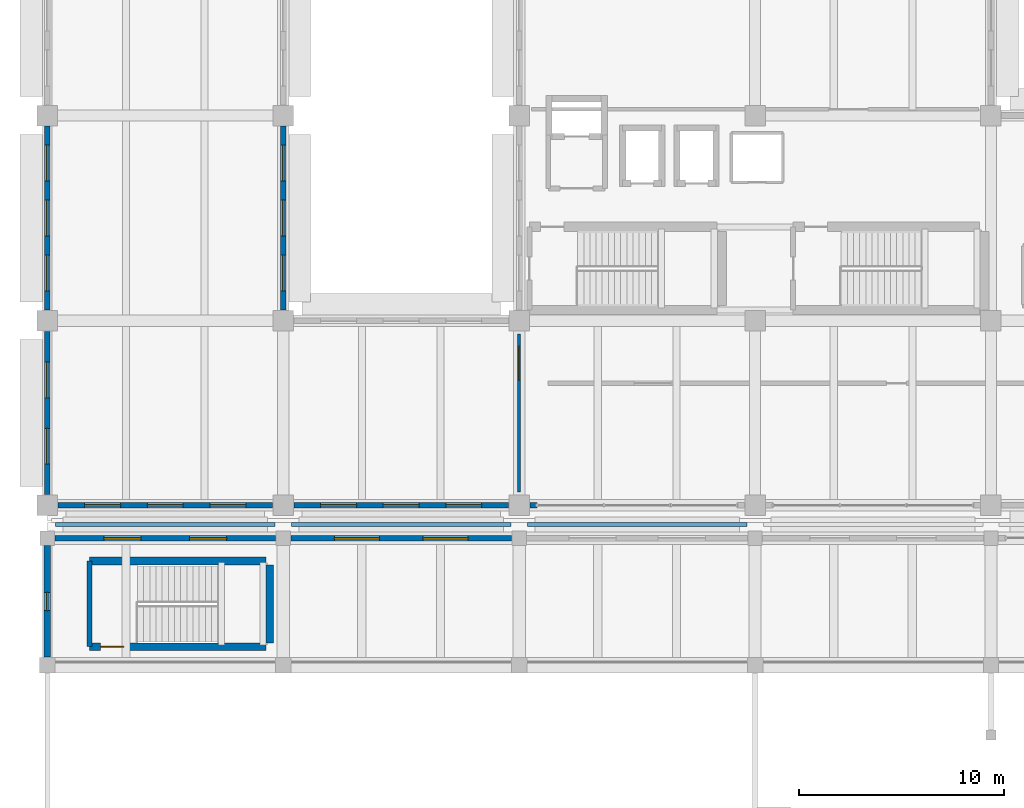
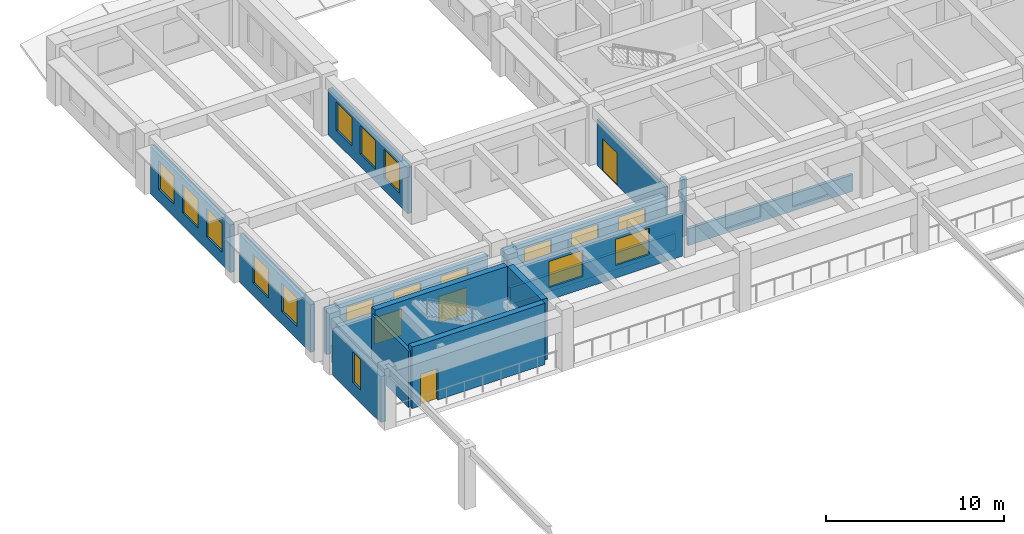
# One storey, part 72 of 98: 19 windows, 17 walls, 2 doors, 21 openings.
"""IFC4 building model written with IfcOpenShell, lengths in metres."""

from ifc_helpers import new_model, si_unit, direction, frame, frame_2d, origin, place, context, subcontext, project, spatial, rectangle, extrude, material, layer, layer_set, type_object, element, fill, save


model = new_model("IFC4")

# Units and contexts
model_context = context("Model", 3, precision=1e-05, world=origin(), true_north=direction((0.0, 1.0)))
body_context = subcontext(model_context, "Body", "Model", "MODEL_VIEW")
ifc_project = project(units=[si_unit("LENGTHUNIT", "METRE"), si_unit("AREAUNIT", "SQUARE_METRE"), si_unit("VOLUMEUNIT", "CUBIC_METRE"), si_unit("PLANEANGLEUNIT", "RADIAN"), si_unit("MASSUNIT", "GRAM", prefix="KILO")], contexts=[model_context])

# Site, building, storey
site_placement = place(None, origin())
site = spatial("IfcSite", under=ifc_project, at=site_placement, CompositionType="ELEMENT")
building_placement = place(site_placement, origin())
building = spatial("IfcBuilding", under=site, at=building_placement, Name="Ologun Quay Terminus", CompositionType="ELEMENT")
storey_placement = place(building_placement, frame((0.0, 0.0, 4.199951171875)))
storey = spatial("IfcBuildingStorey", under=building, at=storey_placement, Name="L01", CompositionType="ELEMENT", Elevation=4.199951171875)

# Wall, opening, door
ifc_material_1 = material(Name="Gypsum Acoustic Stud")
ifc_layer_1 = layer(ifc_material_1, 0.14990234375)
ifc_layer_set_1 = layer_set([ifc_layer_1], Name="Gypsum Acoustic Stud")
wall_type_1 = type_object("IfcWallType", Name="Community & Reading Room Partition 150", PredefinedType="PARTITIONING", material=ifc_layer_set_1)
wall_1_placement = place(storey_placement, frame((23.0, 86.449951171875, 0.0), z_axis=(0.0, 0.0, 1.0), x_axis=(0.0, 1.0, 0.0)))
wall_1 = element("IfcWall", 1, at=wall_1_placement, inside=storey, type_object=wall_type_1, Name="PW-05 Partition L01-VerandaSalon-E", PredefinedType="PARTITIONING", context=body_context, shape_type="SweptSolid", body=[
    extrude(rectangle(XDim=7.699951171875, YDim=0.14990234375, at=frame_2d((3.85009765625, 0.0))), origin(), (0.0, 0.0, 1.0), 3.150146484375),
])
opening_1_placement = place(wall_1_placement, frame((5.449951171875, 0.0, 0.0)))
opening_1 = element("IfcOpeningElement", 2, at=opening_1_placement, cuts=wall_1, Name="Opening ID-307", PredefinedType="OPENING", context=body_context, shape_type="SweptSolid", body=[
    extrude(rectangle(XDim=1.64990234375, YDim=2.199951171875, at=frame_2d((0.824951171875, 1.10009765625))), frame((0.0, 0.0849609375, 0.0), z_axis=(0.0, -1.0, 0.0), x_axis=(1.0, 0.0, 0.0)), (0.0, 0.0, 1.0), 0.169921875),
])
ifc_material_2 = material(Name="Timber Hardwood", Category="wood")
door_type_1 = type_object("IfcDoorType", Name="Community Meeting Double Door 1650x2200", OperationType="DOUBLE_DOOR_SINGLE_SWING", PredefinedType="DOOR", material=ifc_material_2)
door_1_placement = place(opening_1_placement, origin())
door_1 = element("IfcDoor", 3, at=door_1_placement, inside=storey, type_object=door_type_1, Name="ID-03 Door ID-307", OperationType="DOUBLE_DOOR_SINGLE_SWING", OverallHeight=2.199951171875, OverallWidth=1.64990234375, PredefinedType="DOOR", context=body_context, shape_type="SweptSolid", body=[
    extrude(rectangle(XDim=1.64990234375, YDim=2.199951171875, at=frame_2d((0.824951171875, 1.10009765625))), frame((0.0, 0.02490234375, 0.0), z_axis=(0.0, -1.0, 0.0), x_axis=(1.0, 0.0, 0.0)), (0.0, 0.0, 1.0), 0.050048828125),
])
fill(opening_1, door_1)

# Wall, openings, windows
ifc_material_3 = material(Name="Concrete C40/50", Category="concrete")
ifc_layer_2 = layer(ifc_material_3, 0.280029296875)
ifc_layer_set_2 = layer_set([ifc_layer_2], Name="Concrete C40/50")
wall_type_2 = type_object("IfcWallType", Name="Courtyard Wing Spandrel Concrete Wall 280", PredefinedType="SOLIDWALL", material=ifc_layer_set_2)
wall_2_placement = place(storey_placement, frame((0.3701171875, 84.199951171875, 0.0), z_axis=(0.0, 0.0, 1.0), x_axis=(1.0, 0.0, 0.0)))
wall_2 = element("IfcWall", 4, at=wall_2_placement, inside=storey, type_object=wall_type_2, Name="EW-02 Facade Wall WEW-NGW-L01-01", PredefinedType="SOLIDWALL", context=body_context, shape_type="SweptSolid", body=[
    extrude(rectangle(XDim=10.759765625, YDim=0.280029296875, at=frame_2d((5.3798828125, 0.0))), origin(), (0.0, 0.0, 1.0), 2.949951171875),
])
opening_2_placement = place(wall_2_placement, frame((2.38671875, 0.0, 0.85009765625)))
opening_2 = element("IfcOpeningElement", 5, at=opening_2_placement, cuts=wall_2, Name="Opening WN-134", PredefinedType="OPENING", context=body_context, shape_type="SweptSolid", body=[
    extrude(rectangle(XDim=1.800048828125, YDim=1.800048828125, at=frame_2d((0.89990234375, 0.89990234375))), frame((0.0, 0.14990234375, 0.0), z_axis=(0.0, -1.0, 0.0), x_axis=(1.0, 0.0, 0.0)), (0.0, 0.0, 1.0), 0.300048828125),
])
opening_3_placement = place(wall_2_placement, frame((6.5732421875, 0.0, 0.85009765625)))
opening_3 = element("IfcOpeningElement", 6, at=opening_3_placement, cuts=wall_2, Name="Opening WN-135", PredefinedType="OPENING", context=body_context, shape_type="SweptSolid", body=[
    extrude(rectangle(XDim=1.800048828125, YDim=1.800048828125, at=frame_2d((0.89990234375, 0.89990234375))), frame((0.0, 0.14990234375, 0.0), z_axis=(0.0, -1.0, 0.0), x_axis=(1.0, 0.0, 0.0)), (0.0, 0.0, 1.0), 0.300048828125),
])
ifc_material_4 = material(Name="Glass", Category="glass")
window_type_1 = type_object("IfcWindowType", Name="Mezzanine Gallery Window 1800x1800", PartitioningType="SINGLE_PANEL", PredefinedType="WINDOW", material=ifc_material_4)
window_1_placement = place(opening_2_placement, origin())
window_1 = element("IfcWindow", 7, at=window_1_placement, inside=storey, type_object=window_type_1, Name="W-05 Window WN-134", OverallHeight=1.800048828125, OverallWidth=1.800048828125, PartitioningType="SINGLE_PANEL", PredefinedType="WINDOW", context=body_context, shape_type="SweptSolid", body=[
    extrude(rectangle(XDim=1.800048828125, YDim=1.800048828125, at=frame_2d((0.89990234375, 0.89990234375))), frame((0.0, 0.030029296875, 0.0), z_axis=(0.0, -1.0, 0.0), x_axis=(1.0, 0.0, 0.0)), (0.0, 0.0, 1.0), 0.06005859375),
])
fill(opening_2, window_1)
window_2_placement = place(opening_3_placement, origin())
window_2 = element("IfcWindow", 8, at=window_2_placement, inside=storey, type_object=window_type_1, Name="W-05 Window WN-135", OverallHeight=1.800048828125, OverallWidth=1.800048828125, PartitioningType="SINGLE_PANEL", PredefinedType="WINDOW", context=body_context, shape_type="SweptSolid", body=[
    extrude(rectangle(XDim=1.800048828125, YDim=1.800048828125, at=frame_2d((0.89990234375, 0.89990234375))), frame((0.0, 0.030029296875, 0.0), z_axis=(0.0, -1.0, 0.0), x_axis=(1.0, 0.0, 0.0)), (0.0, 0.0, 1.0), 0.06005859375),
])
fill(opening_3, window_2)

wall_3_placement = place(storey_placement, frame((11.8701171875, 84.199951171875, 0.0), z_axis=(0.0, 0.0, 1.0), x_axis=(1.0, 0.0, 0.0)))
wall_3 = element("IfcWall", 9, at=wall_3_placement, inside=storey, type_object=wall_type_2, Name="EW-02 Facade Wall WEW-NGW-L01-02", PredefinedType="SOLIDWALL", context=body_context, shape_type="SweptSolid", body=[
    extrude(rectangle(XDim=10.759765625, YDim=0.280029296875, at=frame_2d((5.3798828125, 0.0))), origin(), (0.0, 0.0, 1.0), 2.949951171875),
])
opening_4_placement = place(wall_3_placement, frame((2.1201171875, 0.0, 0.85009765625)))
opening_4 = element("IfcOpeningElement", 10, at=opening_4_placement, cuts=wall_3, Name="Opening WN-136", PredefinedType="OPENING", context=body_context, shape_type="SweptSolid", body=[
    extrude(rectangle(XDim=2.199951171875, YDim=1.800048828125, at=frame_2d((1.10009765625, 0.89990234375))), frame((0.0, 0.14990234375, 0.0), z_axis=(0.0, -1.0, 0.0), x_axis=(1.0, 0.0, 0.0)), (0.0, 0.0, 1.0), 0.300048828125),
])
opening_5_placement = place(wall_3_placement, frame((6.43994140625, 0.0, 0.85009765625)))
opening_5 = element("IfcOpeningElement", 11, at=opening_5_placement, cuts=wall_3, Name="Opening WN-137", PredefinedType="OPENING", context=body_context, shape_type="SweptSolid", body=[
    extrude(rectangle(XDim=2.199951171875, YDim=1.800048828125, at=frame_2d((1.10009765625, 0.89990234375))), frame((0.0, 0.14990234375, 0.0), z_axis=(0.0, -1.0, 0.0), x_axis=(1.0, 0.0, 0.0)), (0.0, 0.0, 1.0), 0.300048828125),
])
ifc_material_5 = material(Name="Glass", Category="glass")
window_type_2 = type_object("IfcWindowType", Name="Heritage Gallery Window 2200x1800", PartitioningType="SINGLE_PANEL", PredefinedType="WINDOW", material=ifc_material_5)
window_3_placement = place(opening_4_placement, origin())
window_3 = element("IfcWindow", 12, at=window_3_placement, inside=storey, type_object=window_type_2, Name="W-06 Window WN-136", OverallHeight=1.800048828125, OverallWidth=2.199951171875, PartitioningType="SINGLE_PANEL", PredefinedType="WINDOW", context=body_context, shape_type="SweptSolid", body=[
    extrude(rectangle(XDim=2.199951171875, YDim=1.800048828125, at=frame_2d((1.10009765625, 0.89990234375))), frame((0.0, 0.030029296875, 0.0), z_axis=(0.0, -1.0, 0.0), x_axis=(1.0, 0.0, 0.0)), (0.0, 0.0, 1.0), 0.06005859375),
])
fill(opening_4, window_3)
window_4_placement = place(opening_5_placement, origin())
window_4 = element("IfcWindow", 13, at=window_4_placement, inside=storey, type_object=window_type_2, Name="W-06 Window WN-137", OverallHeight=1.800048828125, OverallWidth=2.199951171875, PartitioningType="SINGLE_PANEL", PredefinedType="WINDOW", context=body_context, shape_type="SweptSolid", body=[
    extrude(rectangle(XDim=2.199951171875, YDim=1.800048828125, at=frame_2d((1.10009765625, 0.89990234375))), frame((0.0, 0.030029296875, 0.0), z_axis=(0.0, -1.0, 0.0), x_axis=(1.0, 0.0, 0.0)), (0.0, 0.0, 1.0), 0.06005859375),
])
fill(opening_5, window_4)

wall_4_placement = place(storey_placement, frame((0.52001953125, 85.800048828125, 0.0), z_axis=(0.0, 0.0, 1.0), x_axis=(1.0, 0.0, 0.0)))
wall_4 = element("IfcWall", 14, at=wall_4_placement, inside=storey, type_object=wall_type_2, Name="EW-02 Facade Wall WEW-WW-O-L01-1", PredefinedType="SOLIDWALL", context=body_context, shape_type="SweptSolid", body=[
    extrude(rectangle(XDim=10.4599609375, YDim=0.280029296875, at=frame_2d((5.22998046875, 0.0))), origin(), (0.0, 0.0, 1.0), 3.150146484375),
])
opening_6_placement = place(wall_4_placement, frame((1.302490234375, 0.0, 0.85009765625)))
opening_6 = element("IfcOpeningElement", 15, at=opening_6_placement, cuts=wall_4, Name="Opening WN-191", PredefinedType="OPENING", context=body_context, shape_type="SweptSolid", body=[
    extrude(rectangle(XDim=1.75, YDim=1.949951171875, at=frame_2d((0.875, 0.97509765625))), frame((0.0, 0.14990234375, 0.0), z_axis=(0.0, -1.0, 0.0), x_axis=(1.0, 0.0, 0.0)), (0.0, 0.0, 1.0), 0.300048828125),
])
opening_7_placement = place(wall_4_placement, frame((4.35498046875, 0.0, 0.85009765625)))
opening_7 = element("IfcOpeningElement", 16, at=opening_7_placement, cuts=wall_4, Name="Opening WN-192", PredefinedType="OPENING", context=body_context, shape_type="SweptSolid", body=[
    extrude(rectangle(XDim=1.75, YDim=1.949951171875, at=frame_2d((0.875, 0.97509765625))), frame((0.0, 0.14990234375, 0.0), z_axis=(0.0, -1.0, 0.0), x_axis=(1.0, 0.0, 0.0)), (0.0, 0.0, 1.0), 0.300048828125),
])
opening_8_placement = place(wall_4_placement, frame((7.407470703125, 0.0, 0.85009765625)))
opening_8 = element("IfcOpeningElement", 17, at=opening_8_placement, cuts=wall_4, Name="Opening WN-193", PredefinedType="OPENING", context=body_context, shape_type="SweptSolid", body=[
    extrude(rectangle(XDim=1.75, YDim=1.949951171875, at=frame_2d((0.875, 0.97509765625))), frame((0.0, 0.14990234375, 0.0), z_axis=(0.0, -1.0, 0.0), x_axis=(1.0, 0.0, 0.0)), (0.0, 0.0, 1.0), 0.300048828125),
])
ifc_material_6 = material(Name="Glass", Category="glass")
window_type_3 = type_object("IfcWindowType", Name="Waterfront Pavilion Paired Window 1750x1950", PartitioningType="SINGLE_PANEL", PredefinedType="WINDOW", material=ifc_material_6)
window_5_placement = place(opening_6_placement, origin())
window_5 = element("IfcWindow", 18, at=window_5_placement, inside=storey, type_object=window_type_3, Name="W-12 Window WN-191", OverallHeight=1.949951171875, OverallWidth=1.75, PartitioningType="SINGLE_PANEL", PredefinedType="WINDOW", context=body_context, shape_type="SweptSolid", body=[
    extrude(rectangle(XDim=1.75, YDim=1.949951171875, at=frame_2d((0.875, 0.97509765625))), frame((0.0, 0.030029296875, 0.0), z_axis=(0.0, -1.0, 0.0), x_axis=(1.0, 0.0, 0.0)), (0.0, 0.0, 1.0), 0.06005859375),
])
fill(opening_6, window_5)
window_6_placement = place(opening_7_placement, origin())
window_6 = element("IfcWindow", 19, at=window_6_placement, inside=storey, type_object=window_type_3, Name="W-12 Window WN-192", OverallHeight=1.949951171875, OverallWidth=1.75, PartitioningType="SINGLE_PANEL", PredefinedType="WINDOW", context=body_context, shape_type="SweptSolid", body=[
    extrude(rectangle(XDim=1.75, YDim=1.949951171875, at=frame_2d((0.875, 0.97509765625))), frame((0.0, 0.030029296875, 0.0), z_axis=(0.0, -1.0, 0.0), x_axis=(1.0, 0.0, 0.0)), (0.0, 0.0, 1.0), 0.06005859375),
])
fill(opening_7, window_6)
window_7_placement = place(opening_8_placement, origin())
window_7 = element("IfcWindow", 20, at=window_7_placement, inside=storey, type_object=window_type_3, Name="W-12 Window WN-193", OverallHeight=1.949951171875, OverallWidth=1.75, PartitioningType="SINGLE_PANEL", PredefinedType="WINDOW", context=body_context, shape_type="SweptSolid", body=[
    extrude(rectangle(XDim=1.75, YDim=1.949951171875, at=frame_2d((0.875, 0.97509765625))), frame((0.0, 0.030029296875, 0.0), z_axis=(0.0, -1.0, 0.0), x_axis=(1.0, 0.0, 0.0)), (0.0, 0.0, 1.0), 0.06005859375),
])
fill(opening_8, window_7)

wall_5_placement = place(storey_placement, frame((12.02001953125, 85.800048828125, 0.0), z_axis=(0.0, 0.0, 1.0), x_axis=(1.0, 0.0, 0.0)))
wall_5 = element("IfcWall", 21, at=wall_5_placement, inside=storey, type_object=wall_type_2, Name="EW-02 Facade Wall WEW-WW-O-L01-2", PredefinedType="SOLIDWALL", context=body_context, shape_type="SweptSolid", body=[
    extrude(rectangle(XDim=10.4599609375, YDim=0.280029296875, at=frame_2d((5.22998046875, 0.0))), origin(), (0.0, 0.0, 1.0), 3.150146484375),
])
opening_9_placement = place(wall_5_placement, frame((1.302490234375, 0.0, 0.85009765625)))
opening_9 = element("IfcOpeningElement", 22, at=opening_9_placement, cuts=wall_5, Name="Opening WN-194", PredefinedType="OPENING", context=body_context, shape_type="SweptSolid", body=[
    extrude(rectangle(XDim=1.75, YDim=1.949951171875, at=frame_2d((0.875, 0.97509765625))), frame((0.0, 0.14990234375, 0.0), z_axis=(0.0, -1.0, 0.0), x_axis=(1.0, 0.0, 0.0)), (0.0, 0.0, 1.0), 0.300048828125),
])
opening_10_placement = place(wall_5_placement, frame((4.35498046875, 0.0, 0.85009765625)))
opening_10 = element("IfcOpeningElement", 23, at=opening_10_placement, cuts=wall_5, Name="Opening WN-195", PredefinedType="OPENING", context=body_context, shape_type="SweptSolid", body=[
    extrude(rectangle(XDim=1.75, YDim=1.949951171875, at=frame_2d((0.875, 0.97509765625))), frame((0.0, 0.14990234375, 0.0), z_axis=(0.0, -1.0, 0.0), x_axis=(1.0, 0.0, 0.0)), (0.0, 0.0, 1.0), 0.300048828125),
])
opening_11_placement = place(wall_5_placement, frame((7.407470703125, 0.0, 0.85009765625)))
opening_11 = element("IfcOpeningElement", 24, at=opening_11_placement, cuts=wall_5, Name="Opening WN-196", PredefinedType="OPENING", context=body_context, shape_type="SweptSolid", body=[
    extrude(rectangle(XDim=1.75, YDim=1.949951171875, at=frame_2d((0.875, 0.97509765625))), frame((0.0, 0.14990234375, 0.0), z_axis=(0.0, -1.0, 0.0), x_axis=(1.0, 0.0, 0.0)), (0.0, 0.0, 1.0), 0.300048828125),
])
window_8_placement = place(opening_9_placement, origin())
window_8 = element("IfcWindow", 25, at=window_8_placement, inside=storey, type_object=window_type_3, Name="W-12 Window WN-194", OverallHeight=1.949951171875, OverallWidth=1.75, PartitioningType="SINGLE_PANEL", PredefinedType="WINDOW", context=body_context, shape_type="SweptSolid", body=[
    extrude(rectangle(XDim=1.75, YDim=1.949951171875, at=frame_2d((0.875, 0.97509765625))), frame((0.0, 0.030029296875, 0.0), z_axis=(0.0, -1.0, 0.0), x_axis=(1.0, 0.0, 0.0)), (0.0, 0.0, 1.0), 0.06005859375),
])
fill(opening_9, window_8)
window_9_placement = place(opening_10_placement, origin())
window_9 = element("IfcWindow", 26, at=window_9_placement, inside=storey, type_object=window_type_3, Name="W-12 Window WN-195", OverallHeight=1.949951171875, OverallWidth=1.75, PartitioningType="SINGLE_PANEL", PredefinedType="WINDOW", context=body_context, shape_type="SweptSolid", body=[
    extrude(rectangle(XDim=1.75, YDim=1.949951171875, at=frame_2d((0.875, 0.97509765625))), frame((0.0, 0.030029296875, 0.0), z_axis=(0.0, -1.0, 0.0), x_axis=(1.0, 0.0, 0.0)), (0.0, 0.0, 1.0), 0.06005859375),
])
fill(opening_10, window_9)
window_10_placement = place(opening_11_placement, origin())
window_10 = element("IfcWindow", 27, at=window_10_placement, inside=storey, type_object=window_type_3, Name="W-12 Window WN-196", OverallHeight=1.949951171875, OverallWidth=1.75, PartitioningType="SINGLE_PANEL", PredefinedType="WINDOW", context=body_context, shape_type="SweptSolid", body=[
    extrude(rectangle(XDim=1.75, YDim=1.949951171875, at=frame_2d((0.875, 0.97509765625))), frame((0.0, 0.030029296875, 0.0), z_axis=(0.0, -1.0, 0.0), x_axis=(1.0, 0.0, 0.0)), (0.0, 0.0, 1.0), 0.06005859375),
])
fill(opening_11, window_10)

# Wall
wall_6_placement = place(storey_placement, frame((23.52001953125, 85.800048828125, 0.0), z_axis=(0.0, 0.0, 1.0), x_axis=(1.0, 0.0, 0.0)))
element("IfcWall", 28, at=wall_6_placement, inside=storey, type_object=wall_type_2, Name="Curtain Wall Jamb Pier CW-L01-097-J1", PredefinedType="SOLIDWALL", context=body_context, shape_type="SweptSolid", body=[
    extrude(rectangle(XDim=0.35009765625, YDim=0.280029296875, at=frame_2d((0.175048828125, 0.0))), origin(), (0.0, 0.0, 1.0), 3.929931640625),
])

# Wall, openings, windows
wall_7_placement = place(storey_placement, frame((11.5, 95.320068359375, 0.0), z_axis=(0.0, 0.0, 1.0), x_axis=(0.0, 1.0, 0.0)))
wall_7 = element("IfcWall", 29, at=wall_7_placement, inside=storey, type_object=wall_type_2, Name="EW-02 Facade Wall WEW-WW-O-L01-19", PredefinedType="SOLIDWALL", context=body_context, shape_type="SweptSolid", body=[
    extrude(rectangle(XDim=8.9599609375, YDim=0.280029296875, at=frame_2d((4.47998046875, 0.0))), origin(), (0.0, 0.0, 1.0), 3.150146484375),
])
opening_12_placement = place(wall_7_placement, frame((0.927490234375, 0.0, 0.85009765625)))
opening_12 = element("IfcOpeningElement", 30, at=opening_12_placement, cuts=wall_7, Name="Opening WN-225", PredefinedType="OPENING", context=body_context, shape_type="SweptSolid", body=[
    extrude(rectangle(XDim=1.75, YDim=1.949951171875, at=frame_2d((0.875, 0.97509765625))), frame((0.0, 0.14990234375, 0.0), z_axis=(0.0, -1.0, 0.0), x_axis=(1.0, 0.0, 0.0)), (0.0, 0.0, 1.0), 0.300048828125),
])
opening_13_placement = place(wall_7_placement, frame((3.60498046875, 0.0, 0.85009765625)))
opening_13 = element("IfcOpeningElement", 31, at=opening_13_placement, cuts=wall_7, Name="Opening WN-226", PredefinedType="OPENING", context=body_context, shape_type="SweptSolid", body=[
    extrude(rectangle(XDim=1.75, YDim=1.949951171875, at=frame_2d((0.875, 0.97509765625))), frame((0.0, 0.14990234375, 0.0), z_axis=(0.0, -1.0, 0.0), x_axis=(1.0, 0.0, 0.0)), (0.0, 0.0, 1.0), 0.300048828125),
])
opening_14_placement = place(wall_7_placement, frame((6.282470703125, 0.0, 0.85009765625)))
opening_14 = element("IfcOpeningElement", 32, at=opening_14_placement, cuts=wall_7, Name="Opening WN-227", PredefinedType="OPENING", context=body_context, shape_type="SweptSolid", body=[
    extrude(rectangle(XDim=1.75, YDim=1.949951171875, at=frame_2d((0.875, 0.97509765625))), frame((0.0, 0.14990234375, 0.0), z_axis=(0.0, -1.0, 0.0), x_axis=(1.0, 0.0, 0.0)), (0.0, 0.0, 1.0), 0.300048828125),
])
window_11_placement = place(opening_12_placement, origin())
window_11 = element("IfcWindow", 33, at=window_11_placement, inside=storey, type_object=window_type_3, Name="W-12 Window WN-225", OverallHeight=1.949951171875, OverallWidth=1.75, PartitioningType="SINGLE_PANEL", PredefinedType="WINDOW", context=body_context, shape_type="SweptSolid", body=[
    extrude(rectangle(XDim=1.75, YDim=1.949951171875, at=frame_2d((0.875, 0.97509765625))), frame((0.0, 0.030029296875, 0.0), z_axis=(0.0, -1.0, 0.0), x_axis=(1.0, 0.0, 0.0)), (0.0, 0.0, 1.0), 0.06005859375),
])
fill(opening_12, window_11)
window_12_placement = place(opening_13_placement, origin())
window_12 = element("IfcWindow", 34, at=window_12_placement, inside=storey, type_object=window_type_3, Name="W-12 Window WN-226", OverallHeight=1.949951171875, OverallWidth=1.75, PartitioningType="SINGLE_PANEL", PredefinedType="WINDOW", context=body_context, shape_type="SweptSolid", body=[
    extrude(rectangle(XDim=1.75, YDim=1.949951171875, at=frame_2d((0.875, 0.97509765625))), frame((0.0, 0.030029296875, 0.0), z_axis=(0.0, -1.0, 0.0), x_axis=(1.0, 0.0, 0.0)), (0.0, 0.0, 1.0), 0.06005859375),
])
fill(opening_13, window_12)
window_13_placement = place(opening_14_placement, origin())
window_13 = element("IfcWindow", 35, at=window_13_placement, inside=storey, type_object=window_type_3, Name="W-12 Window WN-227", OverallHeight=1.949951171875, OverallWidth=1.75, PartitioningType="SINGLE_PANEL", PredefinedType="WINDOW", context=body_context, shape_type="SweptSolid", body=[
    extrude(rectangle(XDim=1.75, YDim=1.949951171875, at=frame_2d((0.875, 0.97509765625))), frame((0.0, 0.030029296875, 0.0), z_axis=(0.0, -1.0, 0.0), x_axis=(1.0, 0.0, 0.0)), (0.0, 0.0, 1.0), 0.06005859375),
])
fill(opening_14, window_13)

wall_8_placement = place(storey_placement, frame((0.0, 86.320068359375, 0.0), z_axis=(0.0, 0.0, 1.0), x_axis=(0.0, 1.0, 0.0)))
wall_8 = element("IfcWall", 36, at=wall_8_placement, inside=storey, type_object=wall_type_2, Name="EW-02 Facade Wall WEW-WW-O-L01-22", PredefinedType="SOLIDWALL", context=body_context, shape_type="SweptSolid", body=[
    extrude(rectangle(XDim=7.9599609375, YDim=0.280029296875, at=frame_2d((3.97998046875, 0.0))), origin(), (0.0, 0.0, 1.0), 3.25),
])
opening_15_placement = place(wall_8_placement, frame((1.48681640625, 0.0, 0.85009765625)))
opening_15 = element("IfcOpeningElement", 37, at=opening_15_placement, cuts=wall_8, Name="Opening WN-233", PredefinedType="OPENING", context=body_context, shape_type="SweptSolid", body=[
    extrude(rectangle(XDim=1.75, YDim=1.949951171875, at=frame_2d((0.875, 0.97509765625))), frame((0.0, 0.14990234375, 0.0), z_axis=(0.0, -1.0, 0.0), x_axis=(1.0, 0.0, 0.0)), (0.0, 0.0, 1.0), 0.300048828125),
])
opening_16_placement = place(wall_8_placement, frame((4.723388671875, 0.0, 0.85009765625)))
opening_16 = element("IfcOpeningElement", 38, at=opening_16_placement, cuts=wall_8, Name="Opening WN-234", PredefinedType="OPENING", context=body_context, shape_type="SweptSolid", body=[
    extrude(rectangle(XDim=1.75, YDim=1.949951171875, at=frame_2d((0.875, 0.97509765625))), frame((0.0, 0.14990234375, 0.0), z_axis=(0.0, -1.0, 0.0), x_axis=(1.0, 0.0, 0.0)), (0.0, 0.0, 1.0), 0.300048828125),
])
window_14_placement = place(opening_15_placement, origin())
window_14 = element("IfcWindow", 39, at=window_14_placement, inside=storey, type_object=window_type_3, Name="W-12 Window WN-233", OverallHeight=1.949951171875, OverallWidth=1.75, PartitioningType="SINGLE_PANEL", PredefinedType="WINDOW", context=body_context, shape_type="SweptSolid", body=[
    extrude(rectangle(XDim=1.75, YDim=1.949951171875, at=frame_2d((0.875, 0.97509765625))), frame((0.0, 0.030029296875, 0.0), z_axis=(0.0, -1.0, 0.0), x_axis=(1.0, 0.0, 0.0)), (0.0, 0.0, 1.0), 0.06005859375),
])
fill(opening_15, window_14)
window_15_placement = place(opening_16_placement, origin())
window_15 = element("IfcWindow", 40, at=window_15_placement, inside=storey, type_object=window_type_3, Name="W-12 Window WN-234", OverallHeight=1.949951171875, OverallWidth=1.75, PartitioningType="SINGLE_PANEL", PredefinedType="WINDOW", context=body_context, shape_type="SweptSolid", body=[
    extrude(rectangle(XDim=1.75, YDim=1.949951171875, at=frame_2d((0.875, 0.97509765625))), frame((0.0, 0.030029296875, 0.0), z_axis=(0.0, -1.0, 0.0), x_axis=(1.0, 0.0, 0.0)), (0.0, 0.0, 1.0), 0.06005859375),
])
fill(opening_16, window_15)

wall_9_placement = place(storey_placement, frame((0.0, 95.320068359375, 0.0), z_axis=(0.0, 0.0, 1.0), x_axis=(0.0, 1.0, 0.0)))
wall_9 = element("IfcWall", 41, at=wall_9_placement, inside=storey, type_object=wall_type_2, Name="EW-02 Facade Wall WEW-WW-O-L01-23", PredefinedType="SOLIDWALL", context=body_context, shape_type="SweptSolid", body=[
    extrude(rectangle(XDim=8.9599609375, YDim=0.280029296875, at=frame_2d((4.47998046875, 0.0))), origin(), (0.0, 0.0, 1.0), 3.25),
])
opening_17_placement = place(wall_9_placement, frame((0.927490234375, 0.0, 0.85009765625)))
opening_17 = element("IfcOpeningElement", 42, at=opening_17_placement, cuts=wall_9, Name="Opening WN-235", PredefinedType="OPENING", context=body_context, shape_type="SweptSolid", body=[
    extrude(rectangle(XDim=1.75, YDim=1.949951171875, at=frame_2d((0.875, 0.97509765625))), frame((0.0, 0.14990234375, 0.0), z_axis=(0.0, -1.0, 0.0), x_axis=(1.0, 0.0, 0.0)), (0.0, 0.0, 1.0), 0.300048828125),
])
opening_18_placement = place(wall_9_placement, frame((3.60498046875, 0.0, 0.85009765625)))
opening_18 = element("IfcOpeningElement", 43, at=opening_18_placement, cuts=wall_9, Name="Opening WN-236", PredefinedType="OPENING", context=body_context, shape_type="SweptSolid", body=[
    extrude(rectangle(XDim=1.75, YDim=1.949951171875, at=frame_2d((0.875, 0.97509765625))), frame((0.0, 0.14990234375, 0.0), z_axis=(0.0, -1.0, 0.0), x_axis=(1.0, 0.0, 0.0)), (0.0, 0.0, 1.0), 0.300048828125),
])
opening_19_placement = place(wall_9_placement, frame((6.282470703125, 0.0, 0.85009765625)))
opening_19 = element("IfcOpeningElement", 44, at=opening_19_placement, cuts=wall_9, Name="Opening WN-237", PredefinedType="OPENING", context=body_context, shape_type="SweptSolid", body=[
    extrude(rectangle(XDim=1.75, YDim=1.949951171875, at=frame_2d((0.875, 0.97509765625))), frame((0.0, 0.14990234375, 0.0), z_axis=(0.0, -1.0, 0.0), x_axis=(1.0, 0.0, 0.0)), (0.0, 0.0, 1.0), 0.300048828125),
])
window_16_placement = place(opening_17_placement, origin())
window_16 = element("IfcWindow", 45, at=window_16_placement, inside=storey, type_object=window_type_3, Name="W-12 Window WN-235", OverallHeight=1.949951171875, OverallWidth=1.75, PartitioningType="SINGLE_PANEL", PredefinedType="WINDOW", context=body_context, shape_type="SweptSolid", body=[
    extrude(rectangle(XDim=1.75, YDim=1.949951171875, at=frame_2d((0.875, 0.97509765625))), frame((0.0, 0.030029296875, 0.0), z_axis=(0.0, -1.0, 0.0), x_axis=(1.0, 0.0, 0.0)), (0.0, 0.0, 1.0), 0.06005859375),
])
fill(opening_17, window_16)
window_17_placement = place(opening_18_placement, origin())
window_17 = element("IfcWindow", 46, at=window_17_placement, inside=storey, type_object=window_type_3, Name="W-12 Window WN-236", OverallHeight=1.949951171875, OverallWidth=1.75, PartitioningType="SINGLE_PANEL", PredefinedType="WINDOW", context=body_context, shape_type="SweptSolid", body=[
    extrude(rectangle(XDim=1.75, YDim=1.949951171875, at=frame_2d((0.875, 0.97509765625))), frame((0.0, 0.030029296875, 0.0), z_axis=(0.0, -1.0, 0.0), x_axis=(1.0, 0.0, 0.0)), (0.0, 0.0, 1.0), 0.06005859375),
])
fill(opening_18, window_17)
window_18_placement = place(opening_19_placement, origin())
window_18 = element("IfcWindow", 47, at=window_18_placement, inside=storey, type_object=window_type_3, Name="W-12 Window WN-237", OverallHeight=1.949951171875, OverallWidth=1.75, PartitioningType="SINGLE_PANEL", PredefinedType="WINDOW", context=body_context, shape_type="SweptSolid", body=[
    extrude(rectangle(XDim=1.75, YDim=1.949951171875, at=frame_2d((0.875, 0.97509765625))), frame((0.0, 0.030029296875, 0.0), z_axis=(0.0, -1.0, 0.0), x_axis=(1.0, 0.0, 0.0)), (0.0, 0.0, 1.0), 0.06005859375),
])
fill(opening_19, window_18)

# Walls
ifc_material_7 = material(Name="Concrete C40/50", Category="concrete")
ifc_layer_3 = layer(ifc_material_7, 0.239990234375)
ifc_layer_set_3 = layer_set([ifc_layer_3], Name="Concrete C40/50")
wall_type_3 = type_object("IfcWallType", Name="Fire Compartment Blockwork Wall 240", PredefinedType="SOLIDWALL", material=ifc_layer_set_3)
wall_10_placement = place(storey_placement, frame((2.050048828125, 78.919921875, 0.0), z_axis=(0.0, 0.0, 1.0), x_axis=(0.0, 1.0, 0.0)))
element("IfcWall", 48, at=wall_10_placement, inside=storey, type_object=wall_type_3, Name="PW-01 Partition ST-NG1-W", PredefinedType="SOLIDWALL", context=body_context, shape_type="SweptSolid", body=[
    extrude(rectangle(XDim=4.16015625, YDim=0.239990234375, at=frame_2d((2.080078125, 0.0))), origin(), (0.0, 0.0, 1.0), 3.840087890625),
])
ifc_material_8 = material(Name="Concrete C40/50", Category="concrete")
ifc_layer_4 = layer(ifc_material_8, 0.18994140625)
ifc_layer_set_4 = layer_set([ifc_layer_4], Name="Concrete C40/50")
wall_type_4 = type_object("IfcWallType", Name="Movement Joint Weathering Upstand 190", PredefinedType="PARAPET", material=ifc_layer_set_4)
for number, where, z_axis, x_axis, name in (
    (49, (0.39990234375, 84.860107421875, 0.0), (0.0, 0.0, 1.0), (1.0, 0.0, 0.0), "EW-07 Movement Joint Upstand L01-1"),
    (50, (11.89990234375, 84.860107421875, 0.0), (0.0, 0.0, 1.0), (1.0, 0.0, 0.0), "EW-07 Movement Joint Upstand L01-2"),
    (51, (23.39990234375, 84.860107421875, 0.0), (0.0, 0.0, 1.0), (1.0, 0.0, 0.0), "EW-07 Movement Joint Upstand L01-3"),
):
    element("IfcWall", number, at=place(storey_placement, frame(where, z_axis=z_axis, x_axis=x_axis)), inside=storey, type_object=wall_type_4, Name=name, PredefinedType="PARAPET", context=body_context, shape_type="SweptSolid", body=[
        extrude(rectangle(XDim=10.7001953125, YDim=0.18994140625, at=frame_2d((5.35009765625, 0.0))), origin(), (0.0, 0.0, 1.0), 1.150146484375),
    ])

# Wall, opening, door
ifc_material_9 = material(Name="Concrete C40/50", Category="concrete")
ifc_layer_5 = layer(ifc_material_9, 0.3798828125)
ifc_layer_set_5 = layer_set([ifc_layer_5], Name="Concrete C40/50")
wall_type_5 = type_object("IfcWallType", Name="Platform Spine Shear Wall 380", PredefinedType="SHEAR", material=ifc_layer_set_5)
wall_11_placement = place(storey_placement, frame((2.050048828125, 78.909912109375, 0.0), z_axis=(0.0, 0.0, 1.0), x_axis=(1.0, 0.0, 0.0)))
wall_11 = element("IfcWall", 52, at=wall_11_placement, inside=storey, type_object=wall_type_5, Name="Station Core 5 S Shear Wall L01", PredefinedType="SHEAR", context=body_context, shape_type="SweptSolid", body=[
    extrude(rectangle(XDim=8.599853515625, YDim=0.3798828125, at=frame_2d((4.2998046875, 0.0))), origin(), (0.0, 0.0, 1.0), 4.199951171875),
])
opening_20_placement = place(wall_11_placement, frame((0.550048828125, 0.0, 0.0)))
opening_20 = element("IfcOpeningElement", 53, at=opening_20_placement, cuts=wall_11, Name="Opening ID-276", PredefinedType="OPENING", context=body_context, shape_type="SweptSolid", body=[
    extrude(rectangle(XDim=1.1298828125, YDim=2.14990234375, at=frame_2d((0.56494140625, 1.074951171875))), frame((0.0, 0.199951171875, 0.0), z_axis=(0.0, -1.0, 0.0), x_axis=(1.0, 0.0, 0.0)), (0.0, 0.0, 1.0), 0.39990234375),
])
ifc_material_10 = material(Name="Steel S355", Category="steel")
door_type_2 = type_object("IfcDoorType", Name="Stairwell Fire Escape Door 1130x2150", OperationType="SINGLE_SWING_LEFT", PredefinedType="DOOR", material=ifc_material_10)
door_2_placement = place(opening_20_placement, origin())
door_2 = element("IfcDoor", 54, at=door_2_placement, inside=storey, type_object=door_type_2, Name="FD-01 Door ID-276", OperationType="SINGLE_SWING_LEFT", OverallHeight=2.14990234375, OverallWidth=1.1298828125, PredefinedType="DOOR", context=body_context, shape_type="SweptSolid", body=[
    extrude(rectangle(XDim=1.1298828125, YDim=2.14990234375, at=frame_2d((0.56494140625, 1.074951171875))), frame((0.0, 0.02490234375, 0.0), z_axis=(0.0, -1.0, 0.0), x_axis=(1.0, 0.0, 0.0)), (0.0, 0.0, 1.0), 0.050048828125),
])
fill(opening_20, door_2)

# Walls
wall_12_placement = place(storey_placement, frame((2.050048828125, 83.090087890625, 0.0), z_axis=(0.0, 0.0, 1.0), x_axis=(1.0, 0.0, 0.0)))
element("IfcWall", 55, at=wall_12_placement, inside=storey, type_object=wall_type_5, Name="Station Core 5 N Shear Wall L01", PredefinedType="SHEAR", context=body_context, shape_type="SweptSolid", body=[
    extrude(rectangle(XDim=8.599853515625, YDim=0.3798828125, at=frame_2d((4.2998046875, 0.0))), origin(), (0.0, 0.0, 1.0), 4.199951171875),
])
wall_13_placement = place(storey_placement, frame((10.840087890625, 79.10009765625, 0.0), z_axis=(0.0, 0.0, 1.0), x_axis=(0.0, 1.0, 0.0)))
element("IfcWall", 56, at=wall_13_placement, inside=storey, type_object=wall_type_5, Name="Station Core 5 E Shear Wall L01", PredefinedType="SHEAR", context=body_context, shape_type="SweptSolid", body=[
    extrude(rectangle(XDim=3.7998046875, YDim=0.3798828125, at=frame_2d((1.89990234375, 0.0))), origin(), (0.0, 0.0, 1.0), 4.199951171875),
])

# Wall, opening, window
ifc_material_11 = material(Name="Concrete C40/50", Category="concrete")
ifc_layer_6 = layer(ifc_material_11, 0.320068359375)
ifc_layer_set_6 = layer_set([ifc_layer_6], Name="Concrete C40/50")
wall_type_6 = type_object("IfcWallType", Name="Podium Sculpted Concrete Facade Wall 320", PredefinedType="SOLIDWALL", material=ifc_layer_set_6)
wall_14_placement = place(storey_placement, frame((0.0, 78.39501953125, 0.0), z_axis=(0.0, 0.0, 1.0), x_axis=(0.0, 1.0, 0.0)))
wall_14 = element("IfcWall", 57, at=wall_14_placement, inside=storey, type_object=wall_type_6, Name="EW-01 Facade Wall WEW-NGAL-L01-W", PredefinedType="SOLIDWALL", context=body_context, shape_type="SweptSolid", body=[
    extrude(rectangle(XDim=5.43505859375, YDim=0.320068359375, at=frame_2d((2.717529296875, 0.0))), origin(), (0.0, 0.0, 1.0), 3.150146484375),
])
opening_21_placement = place(wall_14_placement, frame((2.267578125, 0.0, 0.840087890625)))
opening_21 = element("IfcOpeningElement", 58, at=opening_21_placement, cuts=wall_14, Name="Opening WN-104", PredefinedType="OPENING", context=body_context, shape_type="SweptSolid", body=[
    extrude(rectangle(XDim=0.89990234375, YDim=2.10009765625, at=frame_2d((0.449951171875, 1.050048828125))), frame((0.0, 0.169921875, 0.0), z_axis=(0.0, -1.0, 0.0), x_axis=(1.0, 0.0, 0.0)), (0.0, 0.0, 1.0), 0.340087890625),
])
ifc_material_12 = material(Name="Glass", Category="glass")
window_type_4 = type_object("IfcWindowType", Name="Stairwell Daylight Slot Window 900x2100", PartitioningType="SINGLE_PANEL", PredefinedType="WINDOW", material=ifc_material_12)
window_19_placement = place(opening_21_placement, origin())
window_19 = element("IfcWindow", 59, at=window_19_placement, inside=storey, type_object=window_type_4, Name="W-29 Window WN-104", OverallHeight=2.10009765625, OverallWidth=0.89990234375, PartitioningType="SINGLE_PANEL", PredefinedType="WINDOW", context=body_context, shape_type="SweptSolid", body=[
    extrude(rectangle(XDim=0.89990234375, YDim=2.10009765625, at=frame_2d((0.449951171875, 1.050048828125))), frame((0.0, 0.030029296875, 0.0), z_axis=(0.0, -1.0, 0.0), x_axis=(1.0, 0.0, 0.0)), (0.0, 0.0, 1.0), 0.06005859375),
])
fill(opening_21, window_19)

save(model, "model.ifc")
